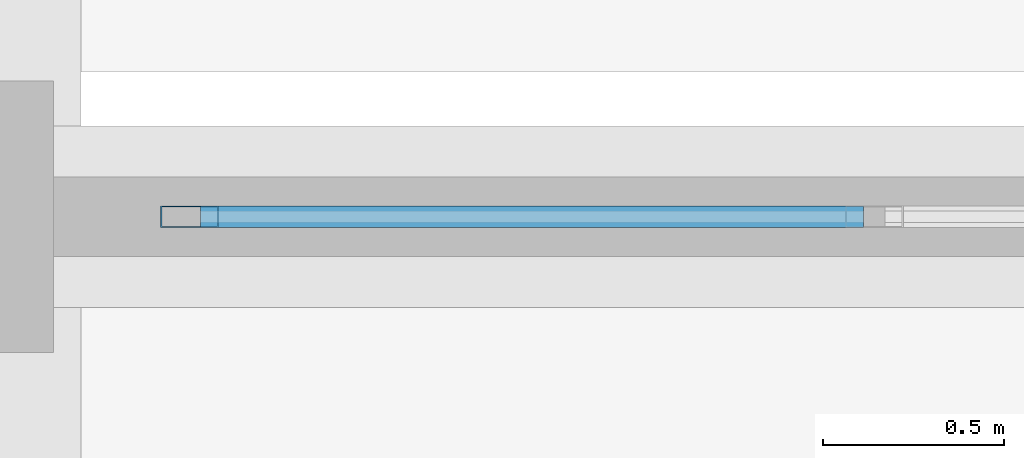
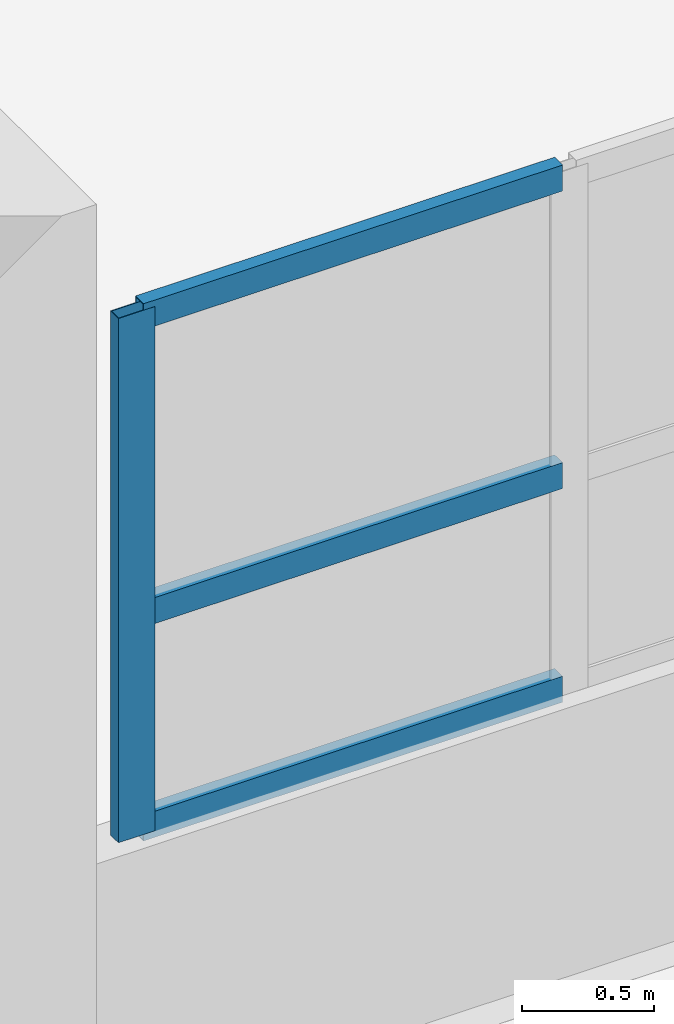
# One storey, part 94 of 141: 4 members, 1 element without a shape of its own.
"""IFC4 building model written with IfcOpenShell, lengths in metres."""

from ifc_helpers import new_model, si_unit, direction, frame, origin, origin_2d, place, context, subcontext, project, spatial, hollow_rectangle, extrude, material, layer, layer_set, material_profile, profile_set, type_object, element, aggregate, save


model = new_model("IFC4")

# Units and contexts
model_context = context("Model", 3, precision=1e-05, world=origin(), true_north=direction((0.0, 1.0)))
body_context = subcontext(model_context, "Body", "Model", "MODEL_VIEW")
ifc_project = project(units=[si_unit("LENGTHUNIT", "METRE"), si_unit("AREAUNIT", "SQUARE_METRE"), si_unit("VOLUMEUNIT", "CUBIC_METRE"), si_unit("PLANEANGLEUNIT", "RADIAN"), si_unit("MASSUNIT", "GRAM", prefix="KILO")], contexts=[model_context])

# Site, building, storey
site_placement = place(None, origin())
site = spatial("IfcSite", under=ifc_project, at=site_placement, CompositionType="ELEMENT")
building_placement = place(site_placement, origin())
building = spatial("IfcBuilding", under=site, at=building_placement, Name="Seraya Terrace Polytechnic", CompositionType="ELEMENT")
storey_placement = place(building_placement, frame((0.0, 0.0, 14.39990234375)))
storey = spatial("IfcBuildingStorey", under=building, at=storey_placement, Name="L03", CompositionType="ELEMENT", Elevation=14.39990234375)

# Curtain wall, members
ifc_material = material(Name="Anodised aluminium EN AW-6063 T6", Category="aluminium")
ifc_layer = layer(ifc_material, 0.179931640625, Name="CW-17")
ifc_layer_set = layer_set([ifc_layer], Name="Anodised aluminium EN AW-6063 T6")
curtain_wall_type = type_object("IfcCurtainWallType", Name="CW-17", PredefinedType="NOTDEFINED", material=ifc_layer_set)
curtain_wall_placement = place(storey_placement, origin())
curtain_wall = element("IfcCurtainWall", 1, at=curtain_wall_placement, inside=storey, type_object=curtain_wall_type, Name="Unitised curtain wall CW-17 (CW-L03-125)", PredefinedType="NOTDEFINED")
ifc_material_profile_1 = material_profile(ifc_material, hollow_rectangle(XDim=0.06005859375, YDim=0.159912109375, WallThickness=0.00341796875, at=origin_2d()), Name="RHS 160x60x3.5")
ifc_profile_set_1 = profile_set([ifc_material_profile_1], Name="Anodised aluminium EN AW-6063 T6")
member_type_1 = type_object("IfcMemberType", Name="CWM-02", PredefinedType="MULLION", material=ifc_profile_set_1)
member_1_placement = place(storey_placement, frame((94.35009765625, 75.60009765625, 1.239990234375), z_axis=(0.0, 0.0, 1.0), x_axis=(0.0, 1.0, 0.0)))
member_1 = element("IfcMember", 2, at=member_1_placement, type_object=member_type_1, Name="CW-17 mullion 1", PredefinedType="MULLION", context=body_context, shape_type="SweptSolid", body=[
    extrude(hollow_rectangle(XDim=0.06005859375, YDim=0.159912109375, WallThickness=0.00341796875, at=origin_2d()), origin(), (0.0, 0.0, 1.0), 2.420166015625),
])
ifc_material_profile_2 = material_profile(ifc_material, hollow_rectangle(XDim=0.06005859375, YDim=0.1201171875, WallThickness=0.003173828125, at=origin_2d()), Name="RHS 120x60x3.2")
ifc_profile_set_2 = profile_set([ifc_material_profile_2], Name="Anodised aluminium EN AW-6063 T6")
member_type_2 = type_object("IfcMemberType", Name="CWT-02", PredefinedType="USERDEFINED", material=ifc_profile_set_2)
member_2_placement = place(storey_placement, frame((94.3798828125, 75.60009765625, 1.27001953125), z_axis=(1.0, 0.0, 0.0), x_axis=(0.0, 1.0, 0.0)))
member_2 = element("IfcMember", 3, at=member_2_placement, type_object=member_type_2, Name="CW-17 transom 1.1", ObjectType="TRANSOM", PredefinedType="USERDEFINED", context=body_context, shape_type="SweptSolid", body=[
    extrude(hollow_rectangle(XDim=0.06005859375, YDim=0.1201171875, WallThickness=0.003173828125, at=origin_2d()), origin(), (0.0, 0.0, 1.0), 1.830078125),
])
member_3_placement = place(storey_placement, frame((94.3798828125, 75.60009765625, 2.256591796875), z_axis=(1.0, 0.0, 0.0), x_axis=(0.0, 1.0, 0.0)))
member_3 = element("IfcMember", 4, at=member_3_placement, type_object=member_type_2, Name="CW-17 transom 1.2", ObjectType="TRANSOM", PredefinedType="USERDEFINED", context=body_context, shape_type="SweptSolid", body=[
    extrude(hollow_rectangle(XDim=0.06005859375, YDim=0.1201171875, WallThickness=0.003173828125, at=origin_2d()), origin(), (0.0, 0.0, 1.0), 1.830078125),
])
member_4_placement = place(storey_placement, frame((94.3798828125, 75.60009765625, 3.630126953125), z_axis=(1.0, 0.0, 0.0), x_axis=(0.0, 1.0, 0.0)))
member_4 = element("IfcMember", 5, at=member_4_placement, type_object=member_type_2, Name="CW-17 transom 1.3", ObjectType="TRANSOM", PredefinedType="USERDEFINED", context=body_context, shape_type="SweptSolid", body=[
    extrude(hollow_rectangle(XDim=0.06005859375, YDim=0.1201171875, WallThickness=0.003173828125, at=origin_2d()), origin(), (0.0, 0.0, 1.0), 1.830078125),
])
aggregate(curtain_wall, [member_1, member_2, member_3, member_4])

save(model, "model.ifc")
